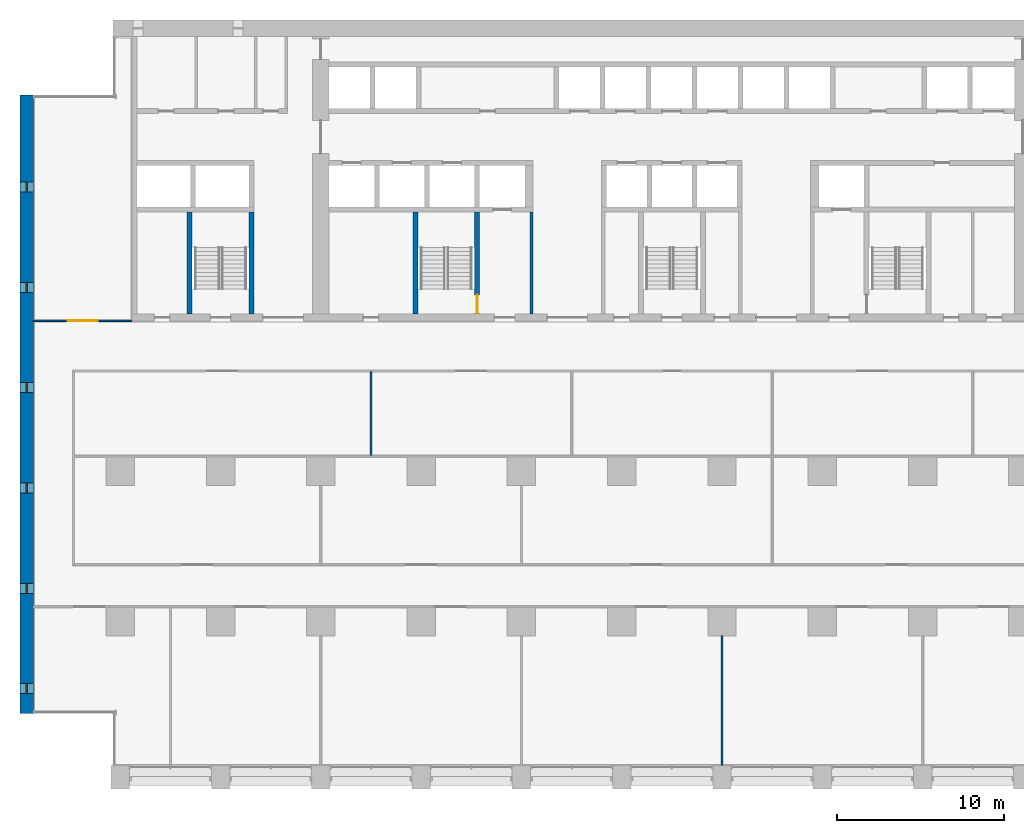
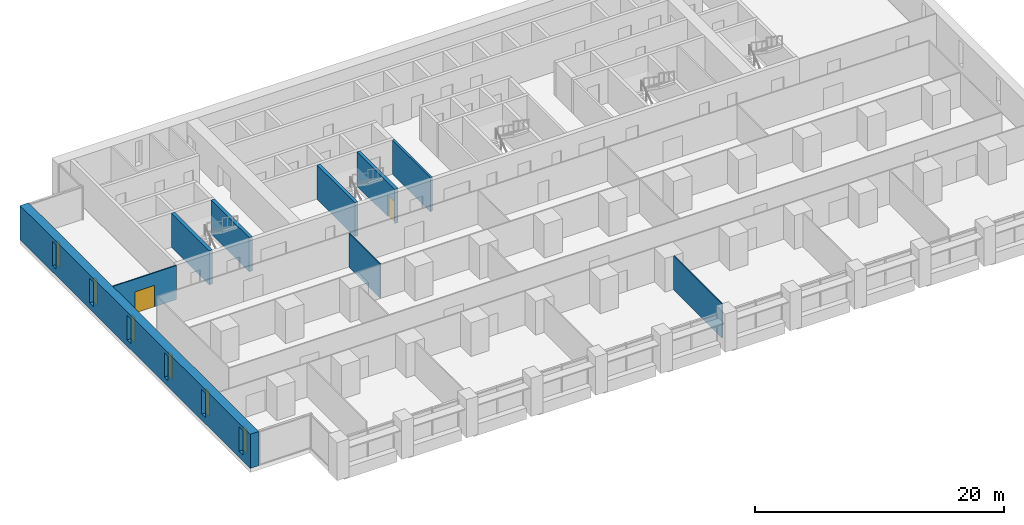
# One storey, part 8 of 18: 9 walls, 6 windows, 2 doors, 8 openings.
"""IFC4 building model written with IfcOpenShell, lengths in metres."""

import ifcopenshell
import ifcopenshell.guid

model = None  # the IFC model being written
_history = None  # IfcOwnerHistory: only IFC2X3 demands one
_inside = {}  # id of a spatial element -> (the spatial element, [elements in it])
_under = {}  # id of a project, library or spatial element -> (it, [spatial elements below it])
_declared = {}  # id of a project -> (the project, [libraries it declares])
_typed = {}  # id of a type object -> (the type object, [elements of that type])
_made_of = {}  # id of a material, layer set ... -> (it, [elements and type objects made of it])


def new_model(schema):
    """Start an empty IFC model of exactly this schema.

    Asked for "IFC4X3", IfcOpenShell would pick the latest addendum, in which some entities
    have other attributes; the version numbers below select the first issue.
    IFC2X3 requires an IfcOwnerHistory on every rooted entity: one is made here for all.
    """
    global model, _history
    if schema == "IFC4X3":
        model = ifcopenshell.file(schema_version=(4, 3, 0, 0))
    else:
        model = ifcopenshell.file(schema=schema)
    _inside.clear()
    _under.clear()
    _declared.clear()
    _typed.clear()
    _made_of.clear()
    _history = None
    if model.schema == "IFC2X3":
        org = make("IfcOrganization", Name="unknown")
        user = make(
            "IfcPersonAndOrganization",
            ThePerson=make("IfcPerson", FamilyName="unknown"),
            TheOrganization=org,
        )
        app = make(
            "IfcApplication",
            ApplicationDeveloper=org,
            Version="unknown",
            ApplicationFullName="unknown",
            ApplicationIdentifier="unknown",
        )
        _history = make(
            "IfcOwnerHistory",
            OwningUser=user,
            OwningApplication=app,
            ChangeAction="ADDED",
            CreationDate=0,
        )
    return model


def make(cls, **values):
    """One entity of the class cls with the attributes given. An attribute that is None is left unset."""
    return model.create_entity(
        cls, **{name: value for name, value in values.items() if value is not None}
    )


def rooted(cls, **values):
    """An entity with a GlobalId (a new one), such as an element, a storey or a relation."""
    return make(cls, GlobalId=ifcopenshell.guid.new(), OwnerHistory=_history, **values)


def si_unit(unit_type, name, prefix=None):
    """IfcSIUnit, for example si_unit("LENGTHUNIT", "METRE", prefix="MILLI")."""
    return make("IfcSIUnit", UnitType=unit_type, Prefix=prefix, Name=name)


def assignment(units):
    """IfcUnitAssignment: the units of a project."""
    return None if units is None else make("IfcUnitAssignment", Units=units)


def point(xyz):
    """IfcCartesianPoint."""
    return None if xyz is None else make("IfcCartesianPoint", Coordinates=xyz)


def direction(xyz):
    """IfcDirection."""
    return None if xyz is None else make("IfcDirection", DirectionRatios=xyz)


def frame(location, z_axis=None, x_axis=None):
    """IfcAxis2Placement3D, a coordinate frame: its origin and axes. An axis left out is left unset."""
    return make(
        "IfcAxis2Placement3D",
        Location=point(location),
        Axis=direction(z_axis),
        RefDirection=direction(x_axis),
    )


def frame_2d(location, x_axis=None):
    """IfcAxis2Placement2D, a coordinate frame in the plane: its origin and x axis."""
    return make(
        "IfcAxis2Placement2D", Location=point(location), RefDirection=direction(x_axis)
    )


def origin():
    """The frame at (0, 0, 0) with its axes left unset."""
    return frame((0.0, 0.0, 0.0))


def place(relative_to, where):
    """IfcLocalPlacement: puts the frame where relative to a parent placement (None: the world)."""
    return make(
        "IfcLocalPlacement", PlacementRelTo=relative_to, RelativePlacement=where
    )


def context(
    kind, dimensions, precision=None, world=None, true_north=None, identifier=None
):
    """IfcGeometricRepresentationContext, for example the 3D "Model" context."""
    return make(
        "IfcGeometricRepresentationContext",
        ContextIdentifier=identifier,
        ContextType=kind,
        CoordinateSpaceDimension=dimensions,
        Precision=precision,
        WorldCoordinateSystem=world,
        TrueNorth=true_north,
    )


def subcontext(parent, identifier, kind, view, scale=None):
    """IfcGeometricRepresentationSubContext, for example "Body" below "Model"."""
    return make(
        "IfcGeometricRepresentationSubContext",
        ContextIdentifier=identifier,
        ContextType=kind,
        ParentContext=parent,
        TargetScale=scale,
        TargetView=view,
    )


def project(units=None, contexts=None):
    """IfcProject with its units and contexts."""
    return rooted(
        "IfcProject",
        Name="project",
        RepresentationContexts=contexts,
        UnitsInContext=assignment(units),
    )


def spatial(cls, under=None, at=None, **own):
    """A site, building, storey or space (cls), placed at a placement, below another one or the project."""
    s = rooted(cls, ObjectPlacement=at, **own)
    if under is not None:
        _under.setdefault(under.id(), (under, []))[1].append(s)
    return s


def profile(cls, at=None, kind="AREA", **sizes):
    """A parametric profile (cls). Its sizes go by their IFC names, for example OverallWidth=200.0."""
    return make(cls, ProfileType=kind, Position=at, **sizes)


def rectangle(**sizes):
    """IfcRectangleProfileDef."""
    return profile("IfcRectangleProfileDef", **sizes)


def extrude(swept, where, along, depth):
    """IfcExtrudedAreaSolid: the profile swept, set in the frame where, extruded along a direction by depth."""
    return make(
        "IfcExtrudedAreaSolid",
        SweptArea=swept,
        Position=where,
        ExtrudedDirection=direction(along),
        Depth=depth,
    )


def shape(context_of_items, identifier, shape_type, items):
    """IfcShapeRepresentation: the items that make up one representation, for example the "Body"."""
    return make(
        "IfcShapeRepresentation",
        ContextOfItems=context_of_items,
        RepresentationIdentifier=identifier,
        RepresentationType=shape_type,
        Items=items,
    )


def material(Name=None, Category=None):
    """IfcMaterial."""
    return make("IfcMaterial", Name=Name, Category=Category)


def layer(
    of_material, thickness, ventilated=None, Name=None, Category=None, Priority=None
):
    """IfcMaterialLayer: one layer of a wall or slab, of a material (None: an air gap)."""
    return make(
        "IfcMaterialLayer",
        Material=of_material,
        LayerThickness=thickness,
        IsVentilated=ventilated,
        Name=Name,
        Category=Category,
        Priority=Priority,
    )


def layer_set(layers, Name=None):
    """IfcMaterialLayerSet."""
    return make("IfcMaterialLayerSet", MaterialLayers=layers, LayerSetName=Name)


def made_of(thing, what):
    """Note that an element or type object is made of a material, layer set ...; save() writes the relation."""
    if what is not None:
        _made_of.setdefault(what.id(), (what, []))[1].append(thing)
    return thing


def type_object(cls, material=None, **own):
    """A type object (cls), such as IfcWallType, which elements share."""
    return made_of(rooted(cls, **own), material)


def element(
    cls,
    number,
    at=None,
    inside=None,
    cuts=None,
    type_object=None,
    material=None,
    context=None,
    identifier="Body",
    shape_type=None,
    held_by="IfcProductDefinitionShape",
    body=None,
    shapes=None,
    **own,
):
    """One element of the class cls, such as IfcWall. Its Tag is "e" and its number.

    at: its placement. inside: the storey or other place that contains it. cuts: it is an
    opening in that element (IfcRelVoidsElement). A single representation is given by context,
    identifier, shape_type and body (its items); several are given by shapes. held_by: the class
    of the entity that holds the representations. save() writes the other relations.
    """
    e = rooted(cls, Tag="e%d" % number, ObjectPlacement=at, **own)
    if body is not None:
        shapes = [shape(context, identifier, shape_type, body)]
    if shapes is not None:
        e.Representation = make(held_by, Representations=shapes)
    if inside is not None:
        _inside.setdefault(inside.id(), (inside, []))[1].append(e)
    if cuts is not None:
        rooted(
            "IfcRelVoidsElement", RelatingBuildingElement=cuts, RelatedOpeningElement=e
        )
    if type_object is not None:
        _typed.setdefault(type_object.id(), (type_object, []))[1].append(e)
    return made_of(e, material)


def fill(opening, filler):
    """IfcRelFillsElement: the door or window that sits in an opening."""
    return rooted(
        "IfcRelFillsElement",
        RelatingOpeningElement=opening,
        RelatedBuildingElement=filler,
    )


def aggregate(whole, parts):
    """IfcRelAggregates: a whole, such as a stair, and the parts it consists of."""
    return rooted("IfcRelAggregates", RelatingObject=whole, RelatedObjects=parts)


def save(model, path):
    """Write the relations noted so far, then the file.

    IfcRelAggregates (storeys below a building ...), IfcRelContainedInSpatialStructure (elements
    in a storey), IfcRelDefinesByType, IfcRelAssociatesMaterial and IfcRelDeclares: one each for
    every whole, place, type object, material and project.
    """
    for whole, parts in _under.values():
        aggregate(whole, parts)
    for where, things in _inside.values():
        rooted(
            "IfcRelContainedInSpatialStructure",
            RelatedElements=things,
            RelatingStructure=where,
        )
    for kind, things in _typed.values():
        rooted("IfcRelDefinesByType", RelatedObjects=things, RelatingType=kind)
    for what, things in _made_of.values():
        rooted("IfcRelAssociatesMaterial", RelatedObjects=things, RelatingMaterial=what)
    for by, libraries in _declared.values():
        rooted("IfcRelDeclares", RelatingContext=by, RelatedDefinitions=libraries)
    model.write(path)


model = new_model("IFC4")

# Units and contexts
model_context = context("Model", 3, precision=1e-05, world=origin(), true_north=direction((0.0, 1.0)))
body_context = subcontext(model_context, "Body", "Model", "MODEL_VIEW")
ifc_project = project(units=[si_unit("LENGTHUNIT", "METRE"), si_unit("AREAUNIT", "SQUARE_METRE"), si_unit("VOLUMEUNIT", "CUBIC_METRE"), si_unit("PLANEANGLEUNIT", "RADIAN"), si_unit("MASSUNIT", "GRAM", prefix="KILO")], contexts=[model_context])

# Site, building, storey
site_placement = place(None, origin())
site = spatial("IfcSite", under=ifc_project, at=site_placement, CompositionType="ELEMENT")
building_placement = place(site_placement, origin())
building = spatial("IfcBuilding", under=site, at=building_placement, Name="Calvaro Tower", CompositionType="ELEMENT")
storey_placement = place(building_placement, frame((0.0, 0.0, 52.5)))
storey = spatial("IfcBuildingStorey", under=building, at=storey_placement, Name="L12", CompositionType="ELEMENT", Elevation=52.5)

# Walls
ifc_material_1 = material(Name="Blockwork partition", Category="masonry")
ifc_layer_1 = layer(ifc_material_1, 0.199951171875)
ifc_layer_set_1 = layer_set([ifc_layer_1], Name="Blockwork partition")
wall_type_1 = type_object("IfcWallType", Name="Core partition 200 REI 120", PredefinedType="PARTITIONING", material=ifc_layer_set_1)
wall_1_placement = place(storey_placement, frame((30.60009765625, 28.39990234375, 0.0), z_axis=(0.0, 0.0, 1.0), x_axis=(0.0, 1.0, 0.0)))
element("IfcWall", 1, at=wall_1_placement, inside=storey, type_object=wall_type_1, Name="Core partition", PredefinedType="PARTITIONING", context=body_context, shape_type="SweptSolid", body=[
    extrude(rectangle(XDim=6.10009765625, YDim=0.199951171875, at=frame_2d((3.050048828125, 0.0))), origin(), (0.0, 0.0, 1.0), 3.35009765625),
])
ifc_material_2 = material(Name="Concrete C80/95", Category="concrete")
ifc_layer_2 = layer(ifc_material_2, 0.300048828125)
ifc_layer_set_2 = layer_set([ifc_layer_2], Name="Concrete C80/95")
wall_type_2 = type_object("IfcWallType", Name="Core wall C80/95 300", PredefinedType="SHEAR", material=ifc_layer_set_2)
for number, where, z_axis, x_axis, name in (
    (2, (10.14990234375, 28.39990234375, 0.0), (0.0, 0.0, 1.0), (0.0, 1.0, 0.0), "Core wall, stair enclosure"),
    (3, (13.85009765625, 28.39990234375, 0.0), (0.0, 0.0, 1.0), (0.0, 1.0, 0.0), "Core wall, stair enclosure"),
    (4, (23.64990234375, 28.39990234375, 0.0), (0.0, 0.0, 1.0), (0.0, 1.0, 0.0), "Core wall, stair enclosure"),
):
    element("IfcWall", number, at=place(storey_placement, frame(where, z_axis=z_axis, x_axis=x_axis)), inside=storey, type_object=wall_type_2, Name=name, PredefinedType="SHEAR", context=body_context, shape_type="SweptSolid", body=[
        extrude(rectangle(XDim=6.10009765625, YDim=0.300048828125, at=frame_2d((3.050048828125, 0.0))), origin(), (0.0, 0.0, 1.0), 3.35009765625),
    ])

# Wall, opening, door
wall_2_placement = place(storey_placement, frame((27.35009765625, 28.39990234375, 0.0), z_axis=(0.0, 0.0, 1.0), x_axis=(0.0, 1.0, 0.0)))
wall_2 = element("IfcWall", 5, at=wall_2_placement, inside=storey, type_object=wall_type_2, Name="Core wall, stair enclosure", PredefinedType="SHEAR", context=body_context, shape_type="SweptSolid", body=[
    extrude(rectangle(XDim=6.10009765625, YDim=0.300048828125, at=frame_2d((3.050048828125, 0.0))), origin(), (0.0, 0.0, 1.0), 3.35009765625),
])
opening_1_placement = place(wall_2_placement, frame((0.050048828125, 0.0, 0.0)))
opening_1 = element("IfcOpeningElement", 6, at=opening_1_placement, cuts=wall_2, Name="Opening FD11D", PredefinedType="OPENING", context=body_context, shape_type="SweptSolid", body=[
    extrude(rectangle(XDim=1.10009765625, YDim=2.10009765625, at=frame_2d((0.550048828125, 1.050048828125))), frame((0.0, 0.159912109375, 0.0), z_axis=(0.0, -1.0, 0.0), x_axis=(1.0, 0.0, 0.0)), (0.0, 0.0, 1.0), 0.320068359375),
])
ifc_material_3 = material(Name="Steel door set", Category="steel")
door_type_1 = type_object("IfcDoorType", Name="Fire door 1100 FD30S", OperationType="SINGLE_SWING_LEFT", PredefinedType="DOOR", material=ifc_material_3)
door_1_placement = place(opening_1_placement, origin())
door_1 = element("IfcDoor", 7, at=door_1_placement, inside=storey, type_object=door_type_1, Name="Fire door", OperationType="SINGLE_SWING_LEFT", OverallHeight=2.10009765625, OverallWidth=1.10009765625, PredefinedType="DOOR", context=body_context, shape_type="SweptSolid", body=[
    extrude(rectangle(XDim=1.10009765625, YDim=2.10009765625, at=frame_2d((0.550048828125, 1.050048828125))), frame((0.0, 0.02490234375, 0.0), z_axis=(0.0, -1.0, 0.0), x_axis=(1.0, 0.0, 0.0)), (0.0, 0.0, 1.0), 0.050048828125),
])
fill(opening_1, door_1)

# Wall, openings, windows
ifc_material_4 = material(Name="Concrete C80/95", Category="concrete")
ifc_layer_3 = layer(ifc_material_4, 0.800048828125)
ifc_layer_set_3 = layer_set([ifc_layer_3], Name="Concrete C80/95")
wall_type_3 = type_object("IfcWallType", Name="End wall 800 C80/95", PredefinedType="SHEAR", material=ifc_layer_set_3)
wall_3_placement = place(storey_placement, frame((0.39990234375, 4.5, 0.0), z_axis=(0.0, 0.0, 1.0), x_axis=(0.0, 1.0, 0.0)))
wall_3 = element("IfcWall", 8, at=wall_3_placement, inside=storey, type_object=wall_type_3, Name="End shear wall", PredefinedType="SHEAR", context=body_context, shape_type="SweptSolid", body=[
    extrude(rectangle(XDim=37.0, YDim=0.800048828125, at=frame_2d((18.5, 0.0))), origin(), (0.0, 0.0, 1.0), 3.35009765625),
])
opening_2_placement = place(wall_3_placement, frame((1.199951171875, 0.0, 0.60009765625)))
opening_2 = element("IfcOpeningElement", 9, at=opening_2_placement, cuts=wall_3, Name="Opening WW01", PredefinedType="OPENING", context=body_context, shape_type="SweptSolid", body=[
    extrude(rectangle(XDim=0.60009765625, YDim=2.39990234375, at=frame_2d((0.300048828125, 1.199951171875))), frame((0.0, 0.409912109375, 0.0), z_axis=(0.0, -1.0, 0.0), x_axis=(1.0, 0.0, 0.0)), (0.0, 0.0, 1.0), 0.820068359375),
])
opening_3_placement = place(wall_3_placement, frame((7.199951171875, 0.0, 0.60009765625)))
opening_3 = element("IfcOpeningElement", 10, at=opening_3_placement, cuts=wall_3, Name="Opening WW02", PredefinedType="OPENING", context=body_context, shape_type="SweptSolid", body=[
    extrude(rectangle(XDim=0.60009765625, YDim=2.39990234375, at=frame_2d((0.300048828125, 1.199951171875))), frame((0.0, 0.409912109375, 0.0), z_axis=(0.0, -1.0, 0.0), x_axis=(1.0, 0.0, 0.0)), (0.0, 0.0, 1.0), 0.820068359375),
])
opening_4_placement = place(wall_3_placement, frame((13.199951171875, 0.0, 0.60009765625)))
opening_4 = element("IfcOpeningElement", 11, at=opening_4_placement, cuts=wall_3, Name="Opening WW03", PredefinedType="OPENING", context=body_context, shape_type="SweptSolid", body=[
    extrude(rectangle(XDim=0.60009765625, YDim=2.39990234375, at=frame_2d((0.300048828125, 1.199951171875))), frame((0.0, 0.409912109375, 0.0), z_axis=(0.0, -1.0, 0.0), x_axis=(1.0, 0.0, 0.0)), (0.0, 0.0, 1.0), 0.820068359375),
])
opening_5_placement = place(wall_3_placement, frame((19.199951171875, 0.0, 0.60009765625)))
opening_5 = element("IfcOpeningElement", 12, at=opening_5_placement, cuts=wall_3, Name="Opening WW04", PredefinedType="OPENING", context=body_context, shape_type="SweptSolid", body=[
    extrude(rectangle(XDim=0.60009765625, YDim=2.39990234375, at=frame_2d((0.300048828125, 1.199951171875))), frame((0.0, 0.409912109375, 0.0), z_axis=(0.0, -1.0, 0.0), x_axis=(1.0, 0.0, 0.0)), (0.0, 0.0, 1.0), 0.820068359375),
])
opening_6_placement = place(wall_3_placement, frame((25.199951171875, 0.0, 0.60009765625)))
opening_6 = element("IfcOpeningElement", 13, at=opening_6_placement, cuts=wall_3, Name="Opening WW05", PredefinedType="OPENING", context=body_context, shape_type="SweptSolid", body=[
    extrude(rectangle(XDim=0.60009765625, YDim=2.39990234375, at=frame_2d((0.300048828125, 1.199951171875))), frame((0.0, 0.409912109375, 0.0), z_axis=(0.0, -1.0, 0.0), x_axis=(1.0, 0.0, 0.0)), (0.0, 0.0, 1.0), 0.820068359375),
])
opening_7_placement = place(wall_3_placement, frame((31.199951171875, 0.0, 0.60009765625)))
opening_7 = element("IfcOpeningElement", 14, at=opening_7_placement, cuts=wall_3, Name="Opening WW06", PredefinedType="OPENING", context=body_context, shape_type="SweptSolid", body=[
    extrude(rectangle(XDim=0.60009765625, YDim=2.39990234375, at=frame_2d((0.300048828125, 1.199951171875))), frame((0.0, 0.409912109375, 0.0), z_axis=(0.0, -1.0, 0.0), x_axis=(1.0, 0.0, 0.0)), (0.0, 0.0, 1.0), 0.820068359375),
])
ifc_material_5 = material(Name="Glass", Category="glass")
window_type = type_object("IfcWindowType", Name="Slit window 600 x 2400", PartitioningType="SINGLE_PANEL", PredefinedType="WINDOW", material=ifc_material_5)
window_1_placement = place(opening_2_placement, origin())
window_1 = element("IfcWindow", 15, at=window_1_placement, inside=storey, type_object=window_type, Name="Window WW01", OverallHeight=2.39990234375, OverallWidth=0.60009765625, PartitioningType="SINGLE_PANEL", PredefinedType="WINDOW", context=body_context, shape_type="SweptSolid", body=[
    extrude(rectangle(XDim=0.60009765625, YDim=2.39990234375, at=frame_2d((0.300048828125, 1.199951171875))), frame((0.0, 0.030029296875, 0.0), z_axis=(0.0, -1.0, 0.0), x_axis=(1.0, 0.0, 0.0)), (0.0, 0.0, 1.0), 0.06005859375),
])
fill(opening_2, window_1)
window_2_placement = place(opening_3_placement, origin())
window_2 = element("IfcWindow", 16, at=window_2_placement, inside=storey, type_object=window_type, Name="Window WW02", OverallHeight=2.39990234375, OverallWidth=0.60009765625, PartitioningType="SINGLE_PANEL", PredefinedType="WINDOW", context=body_context, shape_type="SweptSolid", body=[
    extrude(rectangle(XDim=0.60009765625, YDim=2.39990234375, at=frame_2d((0.300048828125, 1.199951171875))), frame((0.0, 0.030029296875, 0.0), z_axis=(0.0, -1.0, 0.0), x_axis=(1.0, 0.0, 0.0)), (0.0, 0.0, 1.0), 0.06005859375),
])
fill(opening_3, window_2)
window_3_placement = place(opening_4_placement, origin())
window_3 = element("IfcWindow", 17, at=window_3_placement, inside=storey, type_object=window_type, Name="Window WW03", OverallHeight=2.39990234375, OverallWidth=0.60009765625, PartitioningType="SINGLE_PANEL", PredefinedType="WINDOW", context=body_context, shape_type="SweptSolid", body=[
    extrude(rectangle(XDim=0.60009765625, YDim=2.39990234375, at=frame_2d((0.300048828125, 1.199951171875))), frame((0.0, 0.030029296875, 0.0), z_axis=(0.0, -1.0, 0.0), x_axis=(1.0, 0.0, 0.0)), (0.0, 0.0, 1.0), 0.06005859375),
])
fill(opening_4, window_3)
window_4_placement = place(opening_5_placement, origin())
window_4 = element("IfcWindow", 18, at=window_4_placement, inside=storey, type_object=window_type, Name="Window WW04", OverallHeight=2.39990234375, OverallWidth=0.60009765625, PartitioningType="SINGLE_PANEL", PredefinedType="WINDOW", context=body_context, shape_type="SweptSolid", body=[
    extrude(rectangle(XDim=0.60009765625, YDim=2.39990234375, at=frame_2d((0.300048828125, 1.199951171875))), frame((0.0, 0.030029296875, 0.0), z_axis=(0.0, -1.0, 0.0), x_axis=(1.0, 0.0, 0.0)), (0.0, 0.0, 1.0), 0.06005859375),
])
fill(opening_5, window_4)
window_5_placement = place(opening_6_placement, origin())
window_5 = element("IfcWindow", 19, at=window_5_placement, inside=storey, type_object=window_type, Name="Window WW05", OverallHeight=2.39990234375, OverallWidth=0.60009765625, PartitioningType="SINGLE_PANEL", PredefinedType="WINDOW", context=body_context, shape_type="SweptSolid", body=[
    extrude(rectangle(XDim=0.60009765625, YDim=2.39990234375, at=frame_2d((0.300048828125, 1.199951171875))), frame((0.0, 0.030029296875, 0.0), z_axis=(0.0, -1.0, 0.0), x_axis=(1.0, 0.0, 0.0)), (0.0, 0.0, 1.0), 0.06005859375),
])
fill(opening_6, window_5)
window_6_placement = place(opening_7_placement, origin())
window_6 = element("IfcWindow", 20, at=window_6_placement, inside=storey, type_object=window_type, Name="Window WW06", OverallHeight=2.39990234375, OverallWidth=0.60009765625, PartitioningType="SINGLE_PANEL", PredefinedType="WINDOW", context=body_context, shape_type="SweptSolid", body=[
    extrude(rectangle(XDim=0.60009765625, YDim=2.39990234375, at=frame_2d((0.300048828125, 1.199951171875))), frame((0.0, 0.030029296875, 0.0), z_axis=(0.0, -1.0, 0.0), x_axis=(1.0, 0.0, 0.0)), (0.0, 0.0, 1.0), 0.06005859375),
])
fill(opening_7, window_6)

# Wall, opening, door
ifc_material_6 = material(Name="Plasterboard on steel studs", Category="steel")
ifc_layer_4 = layer(ifc_material_6, 0.10009765625)
ifc_layer_set_4 = layer_set([ifc_layer_4], Name="Plasterboard on steel studs")
wall_type_4 = type_object("IfcWallType", Name="Partition 100", PredefinedType="PARTITIONING", material=ifc_layer_set_4)
wall_4_placement = place(storey_placement, frame((0.800048828125, 28.0, 0.0), z_axis=(0.0, 0.0, 1.0), x_axis=(1.0, 0.0, 0.0)))
wall_4 = element("IfcWall", 21, at=wall_4_placement, inside=storey, type_object=wall_type_4, Name="Partition T11.W005", PredefinedType="PARTITIONING", context=body_context, shape_type="SweptSolid", body=[
    extrude(rectangle(XDim=5.89990234375, YDim=0.10009765625, at=frame_2d((2.949951171875, 0.0))), origin(), (0.0, 0.0, 1.0), 3.35009765625),
])
opening_8_placement = place(wall_4_placement, frame((2.050048828125, 0.0, 0.0)))
opening_8 = element("IfcOpeningElement", 22, at=opening_8_placement, cuts=wall_4, Name="Opening T11.018", PredefinedType="OPENING", context=body_context, shape_type="SweptSolid", body=[
    extrude(rectangle(XDim=1.800048828125, YDim=2.10009765625, at=frame_2d((0.89990234375, 1.050048828125))), frame((0.0, 0.06005859375, 0.0), z_axis=(0.0, -1.0, 0.0), x_axis=(1.0, 0.0, 0.0)), (0.0, 0.0, 1.0), 0.1201171875),
])
ifc_material_7 = material(Name="Timber", Category="wood")
door_type_2 = type_object("IfcDoorType", Name="Internal double door 1800 x 2100", OperationType="DOUBLE_DOOR_SINGLE_SWING", PredefinedType="DOOR", material=ifc_material_7)
door_2_placement = place(opening_8_placement, origin())
door_2 = element("IfcDoor", 23, at=door_2_placement, inside=storey, type_object=door_type_2, Name="Door T11.018", OperationType="DOUBLE_DOOR_SINGLE_SWING", OverallHeight=2.10009765625, OverallWidth=1.800048828125, PredefinedType="DOOR", context=body_context, shape_type="SweptSolid", body=[
    extrude(rectangle(XDim=1.800048828125, YDim=2.10009765625, at=frame_2d((0.89990234375, 1.050048828125))), frame((0.0, 0.02490234375, 0.0), z_axis=(0.0, -1.0, 0.0), x_axis=(1.0, 0.0, 0.0)), (0.0, 0.0, 1.0), 0.050048828125),
])
fill(opening_8, door_2)

# Walls
wall_5_placement = place(storey_placement, frame((21.0, 19.949951171875, 0.0), z_axis=(0.0, 0.0, 1.0), x_axis=(0.0, 1.0, 0.0)))
element("IfcWall", 24, at=wall_5_placement, inside=storey, type_object=wall_type_4, Name="Partition T11.W011", PredefinedType="PARTITIONING", context=body_context, shape_type="SweptSolid", body=[
    extrude(rectangle(XDim=5.0, YDim=0.10009765625, at=frame_2d((2.5, 0.0))), origin(), (0.0, 0.0, 1.0), 3.35009765625),
])
wall_6_placement = place(storey_placement, frame((42.0, 1.39990234375, 0.0), z_axis=(0.0, 0.0, 1.0), x_axis=(0.0, 1.0, 0.0)))
element("IfcWall", 25, at=wall_6_placement, inside=storey, type_object=wall_type_4, Name="Partition T11.W015", PredefinedType="PARTITIONING", context=body_context, shape_type="SweptSolid", body=[
    extrude(rectangle(XDim=7.75, YDim=0.10009765625, at=frame_2d((3.875, 0.0))), origin(), (0.0, 0.0, 1.0), 3.35009765625),
])

save(model, "model.ifc")
